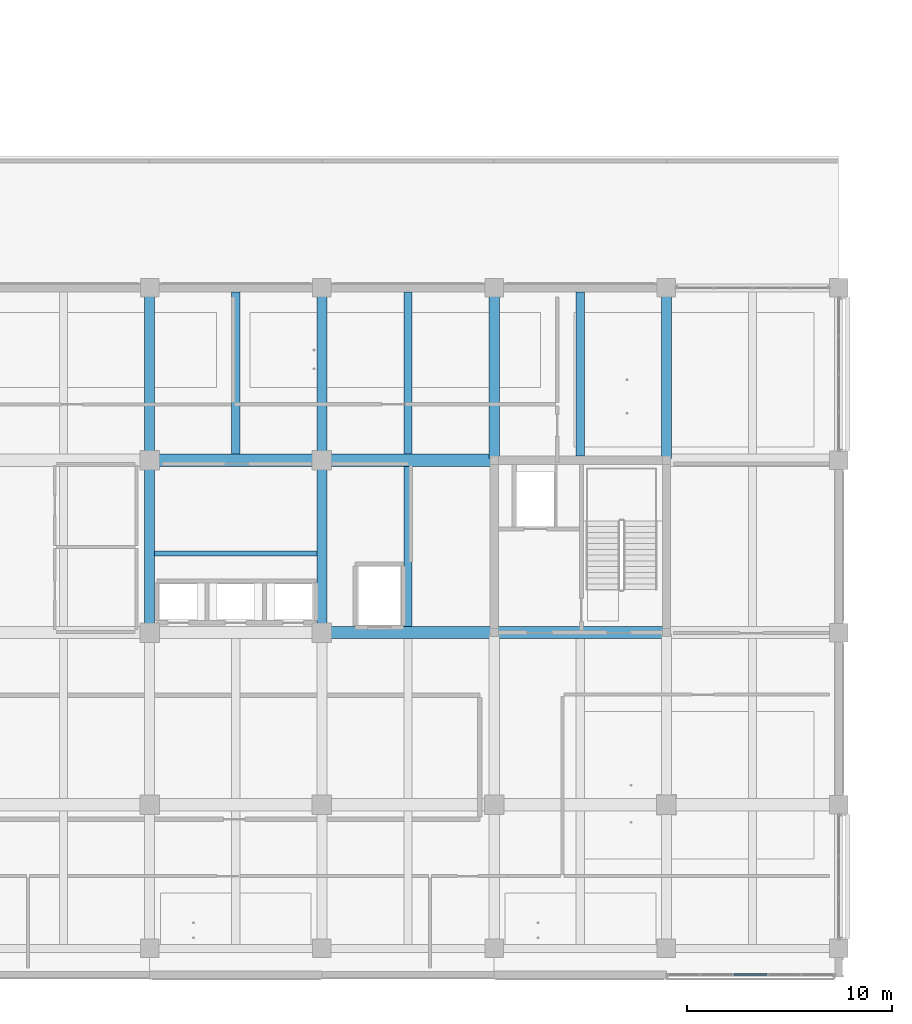
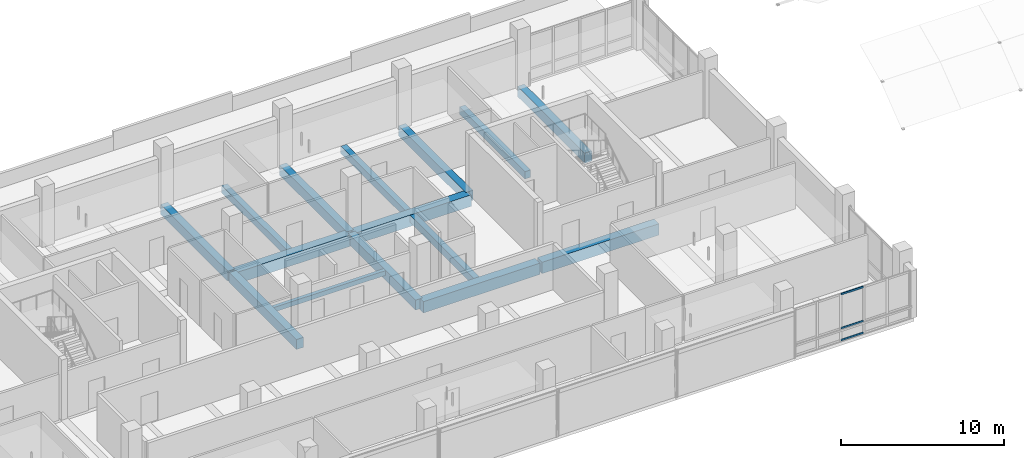
# One storey, part 14 of 59: 15 beams, 3 members, 1 element without a shape of its own.
"""IFC4 building model written with IfcOpenShell, lengths in metres."""

from ifc_helpers import new_model, si_unit, direction, frame, origin, origin_2d, place, context, subcontext, project, spatial, rectangle, extrude, material, layer, layer_set, material_profile, profile_set, type_object, element, aggregate, save


model = new_model("IFC4")

# Units and contexts
model_context = context("Model", 3, precision=1e-05, world=origin(), true_north=direction((0.0, 1.0)))
body_context = subcontext(model_context, "Body", "Model", "MODEL_VIEW")
ifc_project = project(units=[si_unit("LENGTHUNIT", "METRE"), si_unit("AREAUNIT", "SQUARE_METRE"), si_unit("VOLUMEUNIT", "CUBIC_METRE"), si_unit("PLANEANGLEUNIT", "RADIAN"), si_unit("MASSUNIT", "GRAM", prefix="KILO")], contexts=[model_context])

# Site, building, storey
site_placement = place(None, origin())
site = spatial("IfcSite", under=ifc_project, at=site_placement, CompositionType="ELEMENT")
building_placement = place(site_placement, origin())
building = spatial("IfcBuilding", under=site, at=building_placement, Name="Telukmera Botanical Conservatory", CompositionType="ELEMENT")
storey_placement = place(building_placement, frame((0.0, 0.0, 15.0)))
storey = spatial("IfcBuildingStorey", under=building, at=storey_placement, Name="L03", CompositionType="ELEMENT", Elevation=15.0)

# Beams
ifc_material_1 = material(Name="Concrete C40/50", Category="concrete")
ifc_material_profile_1 = material_profile(ifc_material_1, rectangle(XDim=0.60009765625, YDim=0.85009765625, at=origin_2d()), Name="RC 600x850")
ifc_profile_set_1 = profile_set([ifc_material_profile_1], Name="Concrete C40/50")
beam_type_1 = type_object("IfcBeamType", Name="Beam_B11", PredefinedType="BEAM", material=ifc_profile_set_1)
for number, where, z_axis, x_axis, name in (
    (1, (84.080078125, 26.0, -0.425048828125), (1.0, 0.0, 0.0), (0.0, 1.0, 0.0), "Tower Grid Beam L03"),
    (2, (92.47998046875, 26.0, -0.425048828125), (1.0, 0.0, 0.0), (0.0, 1.0, 0.0), "Tower Grid Beam L03"),
    (3, (75.679931640625, 34.39990234375, -0.425048828125), (1.0, 0.0, 0.0), (0.0, 1.0, 0.0), "Tower Grid Beam L03"),
    (4, (84.080078125, 34.39990234375, -0.425048828125), (1.0, 0.0, 0.0), (0.0, 1.0, 0.0), "Tower Grid Beam L03"),
):
    element("IfcBeam", number, at=place(storey_placement, frame(where, z_axis=z_axis, x_axis=x_axis)), inside=storey, type_object=beam_type_1, Name=name, PredefinedType="BEAM", context=body_context, shape_type="SweptSolid", body=[
        extrude(rectangle(XDim=0.60009765625, YDim=0.85009765625, at=origin_2d()), origin(), (0.0, 0.0, 1.0), 8.239990234375),
    ])
ifc_material_profile_2 = material_profile(ifc_material_1, rectangle(XDim=0.5, YDim=0.75, at=origin_2d()), Name="RC 500x750")
ifc_profile_set_2 = profile_set([ifc_material_profile_2], Name="Concrete C40/50")
beam_type_2 = type_object("IfcBeamType", Name="Beam_B13", PredefinedType="BEAM", material=ifc_profile_set_2)
for number, where, z_axis, x_axis, name in (
    (5, (75.60009765625, 26.080078125, -0.375), (0.0, 1.0, 0.0), (-1.0, 0.0, 0.0), "Tower Transverse Beam L03"),
    (6, (75.60009765625, 34.47998046875, -0.375), (0.0, 1.0, 0.0), (-1.0, 0.0, 0.0), "Tower Transverse Beam L03"),
    (7, (84.0, 26.080078125, -0.375), (0.0, 1.0, 0.0), (-1.0, 0.0, 0.0), "Tower Transverse Beam L03"),
    (8, (84.0, 34.47998046875, -0.375), (0.0, 1.0, 0.0), (-1.0, 0.0, 0.0), "Tower Transverse Beam L03"),
    (9, (92.39990234375, 34.47998046875, -0.375), (0.0, 1.0, 0.0), (-1.0, 0.0, 0.0), "Tower Transverse Beam L03"),
    (10, (100.800048828125, 34.47998046875, -0.375), (0.0, 1.0, 0.0), (-1.0, 0.0, 0.0), "Tower Transverse Beam L03"),
):
    element("IfcBeam", number, at=place(storey_placement, frame(where, z_axis=z_axis, x_axis=x_axis)), inside=storey, type_object=beam_type_2, Name=name, PredefinedType="BEAM", context=body_context, shape_type="SweptSolid", body=[
        extrude(rectangle(XDim=0.5, YDim=0.75, at=origin_2d()), origin(), (0.0, 0.0, 1.0), 8.239990234375),
    ])
ifc_material_profile_3 = material_profile(ifc_material_1, rectangle(XDim=0.39990234375, YDim=0.550048828125, at=origin_2d()), Name="RC 400x550")
ifc_profile_set_3 = profile_set([ifc_material_profile_3], Name="Concrete C40/50")
beam_type_3 = type_object("IfcBeamType", Name="Beam_B19", PredefinedType="JOIST", material=ifc_profile_set_3)
beam_1_placement = place(storey_placement, frame((79.800048828125, 34.699951171875, -0.27490234375), z_axis=(0.0, 1.0, 0.0), x_axis=(-1.0, 0.0, 0.0)))
element("IfcBeam", 11, at=beam_1_placement, inside=storey, type_object=beam_type_3, Name="Tower Secondary Floor Joist L03", PredefinedType="JOIST", context=body_context, shape_type="SweptSolid", body=[
    extrude(rectangle(XDim=0.39990234375, YDim=0.550048828125, at=origin_2d()), origin(), (0.0, 0.0, 1.0), 7.900146484375),
])
beam_2_placement = place(storey_placement, frame((88.199951171875, 26.300048828125, -0.27490234375), z_axis=(0.0, 1.0, 0.0), x_axis=(-1.0, 0.0, 0.0)))
element("IfcBeam", 12, at=beam_2_placement, inside=storey, type_object=beam_type_3, Name="Tower Secondary Floor Joist L03", PredefinedType="JOIST", context=body_context, shape_type="SweptSolid", body=[
    extrude(rectangle(XDim=0.39990234375, YDim=0.550048828125, at=origin_2d()), origin(), (0.0, 0.0, 1.0), 7.800048828125),
])
beam_3_placement = place(storey_placement, frame((88.199951171875, 34.699951171875, -0.27490234375), z_axis=(0.0, 1.0, 0.0), x_axis=(-1.0, 0.0, 0.0)))
element("IfcBeam", 13, at=beam_3_placement, inside=storey, type_object=beam_type_3, Name="Tower Secondary Floor Joist L03", PredefinedType="JOIST", context=body_context, shape_type="SweptSolid", body=[
    extrude(rectangle(XDim=0.39990234375, YDim=0.550048828125, at=origin_2d()), origin(), (0.0, 0.0, 1.0), 7.900146484375),
])
beam_4_placement = place(storey_placement, frame((96.60009765625, 34.60009765625, -0.27490234375), z_axis=(0.0, 1.0, 0.0), x_axis=(-1.0, 0.0, 0.0)))
element("IfcBeam", 14, at=beam_4_placement, inside=storey, type_object=beam_type_3, Name="Tower Secondary Floor Joist L03", PredefinedType="JOIST", context=body_context, shape_type="SweptSolid", body=[
    extrude(rectangle(XDim=0.39990234375, YDim=0.550048828125, at=origin_2d()), origin(), (0.0, 0.0, 1.0), 8.0),
])
ifc_material_2 = material(Name="Precast concrete C40/50", Category="concrete")
ifc_material_profile_4 = material_profile(ifc_material_2, rectangle(XDim=0.25, YDim=0.35009765625, at=origin_2d()), Name="PC 250x350")
ifc_profile_set_4 = profile_set([ifc_material_profile_4], Name="Precast concrete C40/50")
beam_type_4 = type_object("IfcBeamType", Name="Beam_LN2", PredefinedType="LINTEL", material=ifc_profile_set_4)
beam_5_placement = place(storey_placement, frame((75.85009765625, 29.85009765625, -0.175048828125), z_axis=(1.0, 0.0, 0.0), x_axis=(0.0, 1.0, 0.0)))
element("IfcBeam", 15, at=beam_5_placement, inside=storey, type_object=beam_type_4, Name="Tower Lift Bank Header Lintel L03", PredefinedType="LINTEL", context=body_context, shape_type="SweptSolid", body=[
    extrude(rectangle(XDim=0.25, YDim=0.35009765625, at=origin_2d()), origin(), (0.0, 0.0, 1.0), 7.89990234375),
])

# Curtain wall, members
ifc_material_3 = material(Name="Anodised aluminium 6063-T6", Category="aluminium")
ifc_layer = layer(ifc_material_3, 0.179931640625)
ifc_layer_set = layer_set([ifc_layer], Name="Anodised aluminium 6063-T6")
curtain_wall_type = type_object("IfcCurtainWallType", Name="Tower Herbarium Curation Corner Curtain Wall", PredefinedType="USERDEFINED", material=ifc_layer_set)
curtain_wall_placement = place(storey_placement, origin())
curtain_wall = element("IfcCurtainWall", 16, at=curtain_wall_placement, inside=storey, type_object=curtain_wall_type, Name="Unitised Curtain Wall CW14 V4:L03:S7", ObjectType="UNITISED CURTAIN WALL", PredefinedType="USERDEFINED")
ifc_material_profile_5 = material_profile(ifc_material_3, rectangle(XDim=0.06494140625, YDim=0.1298828125, at=origin_2d()), Name="ALU TRAN 65x130")
ifc_profile_set_5 = profile_set([ifc_material_profile_5], Name="Anodised aluminium 6063-T6")
member_type = type_object("IfcMemberType", Name="Curtain Wall Extruded Transom 65x130", PredefinedType="USERDEFINED", material=ifc_profile_set_5)
member_1_placement = place(storey_placement, frame((104.116943359375, 9.320068359375, 0.06494140625), z_axis=(1.0, 0.0, 0.0), x_axis=(0.0, 1.0, 0.0)))
member_1 = element("IfcMember", 17, at=member_1_placement, type_object=member_type, Name="CW14 transom 3.1", ObjectType="TRANSOM", PredefinedType="USERDEFINED", context=body_context, shape_type="SweptSolid", body=[
    extrude(rectangle(XDim=0.06494140625, YDim=0.1298828125, at=origin_2d()), origin(), (0.0, 0.0, 1.0), 1.576171875),
])
member_2_placement = place(storey_placement, frame((104.116943359375, 9.320068359375, 0.949951171875), z_axis=(1.0, 0.0, 0.0), x_axis=(0.0, 1.0, 0.0)))
member_2 = element("IfcMember", 18, at=member_2_placement, type_object=member_type, Name="CW14 transom 3.2", ObjectType="TRANSOM", PredefinedType="USERDEFINED", context=body_context, shape_type="SweptSolid", body=[
    extrude(rectangle(XDim=0.06494140625, YDim=0.1298828125, at=origin_2d()), origin(), (0.0, 0.0, 1.0), 1.576171875),
])
member_3_placement = place(storey_placement, frame((104.116943359375, 9.320068359375, 3.485107421875), z_axis=(1.0, 0.0, 0.0), x_axis=(0.0, 1.0, 0.0)))
member_3 = element("IfcMember", 19, at=member_3_placement, type_object=member_type, Name="CW14 transom 3.3", ObjectType="TRANSOM", PredefinedType="USERDEFINED", context=body_context, shape_type="SweptSolid", body=[
    extrude(rectangle(XDim=0.06494140625, YDim=0.1298828125, at=origin_2d()), origin(), (0.0, 0.0, 1.0), 1.576171875),
])
aggregate(curtain_wall, [member_1, member_2, member_3])

save(model, "model.ifc")
